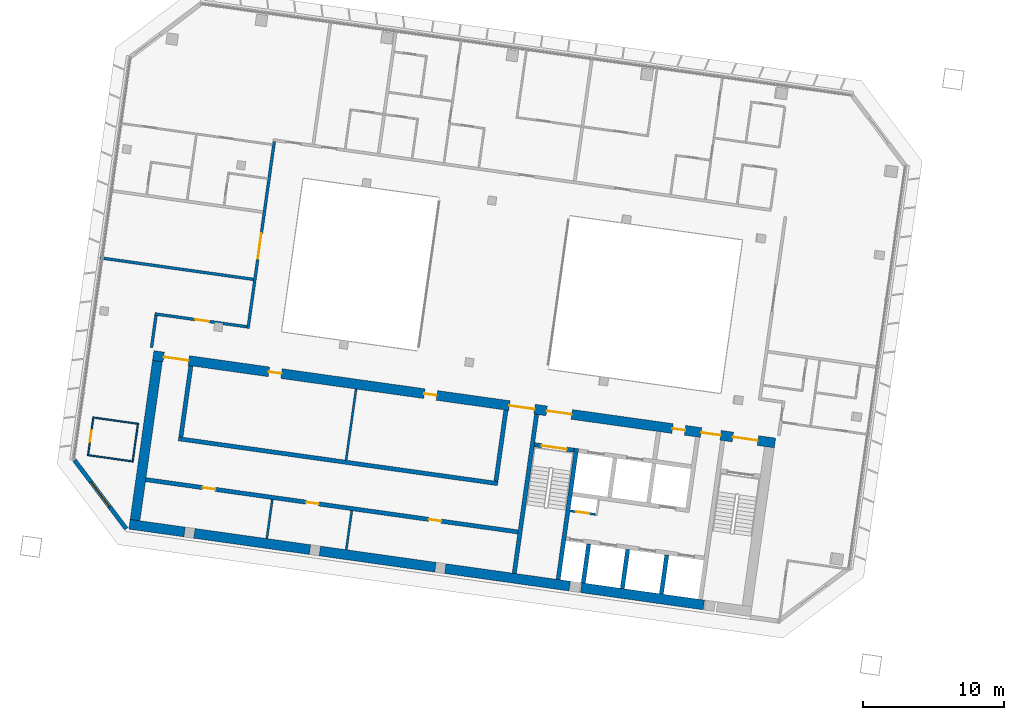
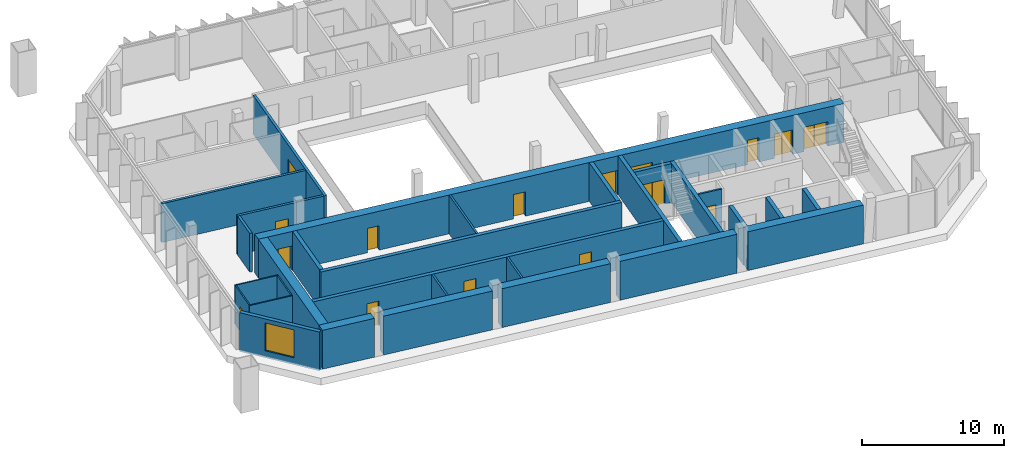
# One storey, part 13 of 22: 30 walls, 16 doors, 1 window, 17 openings.
"""IFC4 building model written with IfcOpenShell, lengths in metres."""

from ifc_helpers import new_model, si_unit, direction, frame, frame_2d, origin, place, context, subcontext, project, spatial, rectangle, extrude, material, layer, layer_set, type_object, element, fill, save


model = new_model("IFC4")

# Units and contexts
model_context = context("Model", 3, precision=1e-05, world=origin(), true_north=direction((0.0, 1.0)))
body_context = subcontext(model_context, "Body", "Model", "MODEL_VIEW")
ifc_project = project(units=[si_unit("LENGTHUNIT", "METRE"), si_unit("AREAUNIT", "SQUARE_METRE"), si_unit("VOLUMEUNIT", "CUBIC_METRE"), si_unit("PLANEANGLEUNIT", "RADIAN"), si_unit("MASSUNIT", "GRAM", prefix="KILO")], contexts=[model_context])

# Site, building, storey
site_placement = place(None, origin())
site = spatial("IfcSite", under=ifc_project, at=site_placement, CompositionType="ELEMENT")
building_placement = place(site_placement, origin())
building = spatial("IfcBuilding", under=site, at=building_placement, Name="Mirante Cascada Hotel Towers", CompositionType="ELEMENT")
storey_placement = place(building_placement, frame((0.0, 0.0, 191.6)))
storey = spatial("IfcBuildingStorey", under=building, at=storey_placement, Name="L45", CompositionType="ELEMENT", Elevation=191.6)

# Wall, opening, door
ifc_material_1 = material(Name="Fire-rated plasterboard on metal studs")
ifc_layer_1 = layer(ifc_material_1, 0.2)
ifc_layer_set_1 = layer_set([ifc_layer_1], Name="Compartment wall 200 EI 120")
wall_type_1 = type_object("IfcWallType", Name="Compartment wall 200 EI 120", PredefinedType="PARTITIONING", material=ifc_layer_set_1)
wall_1_placement = place(storey_placement, frame((-73.0547, 0.6175, 0.0), z_axis=(0.0, 0.0, 1.0), x_axis=(-0.990267, 0.139181, 0.0)))
wall_1 = element("IfcWall", 1, at=wall_1_placement, inside=storey, type_object=wall_type_1, Name="Wall 1-L45-06", PredefinedType="PARTITIONING", context=body_context, shape_type="SweptSolid", body=[
    extrude(rectangle(XDim=6.6, YDim=0.2, at=frame_2d((3.3, 0.0))), origin(), (0.0, 0.0, 1.0), 3.35),
])
opening_1_placement = place(wall_1_placement, frame((2.7, 0.0, 0.0)))
opening_1 = element("IfcOpeningElement", 2, at=opening_1_placement, cuts=wall_1, Name="Opening D1-L45-03", PredefinedType="OPENING", context=body_context, shape_type="SweptSolid", body=[
    extrude(rectangle(XDim=1.0, YDim=2.1, at=frame_2d((0.5, 1.05))), frame((0.0, 0.1, 0.0), z_axis=(0.0, -1.0, 0.0), x_axis=(1.0, 0.0, 0.0)), (0.0, 0.0, 1.0), 0.2),
])
ifc_material_2 = material(Name="Fire-rated timber door leaf", Category="wood")
door_type_1 = type_object("IfcDoorType", Name="Entrance door DG1 1000x2100 EI 60", OperationType="SINGLE_SWING_LEFT", PredefinedType="DOOR", material=ifc_material_2)
door_1_placement = place(opening_1_placement, origin())
door_1 = element("IfcDoor", 3, at=door_1_placement, inside=storey, type_object=door_type_1, Name="Door D1-L45-03", OperationType="SINGLE_SWING_LEFT", OverallHeight=2.1, OverallWidth=1.0, PredefinedType="DOOR", context=body_context, shape_type="SweptSolid", body=[
    extrude(rectangle(XDim=1.0, YDim=2.1, at=frame_2d((0.5, 1.05))), frame((0.0, 0.025, 0.0), z_axis=(0.0, -1.0, 0.0), x_axis=(1.0, 0.0, 0.0)), (0.0, 0.0, 1.0), 0.05),
])
fill(opening_1, door_1)

# Wall
wall_2_placement = place(storey_placement, frame((-72.5815, 3.9844, 0.0), z_axis=(0.0, 0.0, 1.0), x_axis=(-0.9902682, 0.1391721, 0.0)))
element("IfcWall", 4, at=wall_2_placement, inside=storey, type_object=wall_type_1, Name="Wall 1-L45-10", PredefinedType="PARTITIONING", context=body_context, shape_type="SweptSolid", body=[
    extrude(rectangle(XDim=11.0001, YDim=0.2, at=frame_2d((5.5, 0.0))), origin(), (0.0, 0.0, 1.0), 3.35),
])

# Wall, opening, door
wall_3_placement = place(storey_placement, frame((-71.1047, 13.7742, 0.0), z_axis=(0.0, 0.0, 1.0), x_axis=(-0.1391716, -0.9902683, 0.0)))
wall_3 = element("IfcWall", 5, at=wall_3_placement, inside=storey, type_object=wall_type_1, Name="Wall 1-L45-47", PredefinedType="PARTITIONING", context=body_context, shape_type="SweptSolid", body=[
    extrude(rectangle(XDim=13.4, YDim=0.2, at=frame_2d((6.7, 0.0))), origin(), (0.0, 0.0, 1.0), 3.35),
])
opening_2_placement = place(wall_3_placement, frame((6.5834, 0.0, 0.0)))
opening_2 = element("IfcOpeningElement", 6, at=opening_2_placement, cuts=wall_3, Name="Opening D1-L45-28", PredefinedType="OPENING", context=body_context, shape_type="SweptSolid", body=[
    extrude(rectangle(XDim=1.8, YDim=2.1, at=frame_2d((0.9, 1.05))), frame((0.0, 0.1, 0.0), z_axis=(0.0, -1.0, 0.0), x_axis=(1.0, 0.0, 0.0)), (0.0, 0.0, 1.0), 0.2),
])
ifc_material_3 = material(Name="Fire-rated timber door leaf", Category="wood")
door_type_2 = type_object("IfcDoorType", Name="Suite double door DG2 1800x2100 EI 60", OperationType="DOUBLE_DOOR_SINGLE_SWING", PredefinedType="DOOR", material=ifc_material_3)
door_2_placement = place(opening_2_placement, origin())
door_2 = element("IfcDoor", 7, at=door_2_placement, inside=storey, type_object=door_type_2, Name="Door D1-L45-28", OperationType="DOUBLE_DOOR_SINGLE_SWING", OverallHeight=2.1, OverallWidth=1.8, PredefinedType="DOOR", context=body_context, shape_type="SweptSolid", body=[
    extrude(rectangle(XDim=0.895, YDim=2.1, at=frame_2d((0.4475, 1.05))), frame((0.0, 0.025, 0.0), z_axis=(0.0, -1.0, 0.0), x_axis=(1.0, 0.0, 0.0)), (0.0, 0.0, 1.0), 0.05),
    extrude(rectangle(XDim=0.895, YDim=2.1, at=frame_2d((1.3525, 1.05))), frame((0.0, 0.025, 0.0), z_axis=(0.0, -1.0, 0.0), x_axis=(1.0, 0.0, 0.0)), (0.0, 0.0, 1.0), 0.05),
])
fill(opening_2, door_2)

# Wall
wall_4_placement = place(storey_placement, frame((-79.8255, -0.8545, 0.0), z_axis=(0.0, 0.0, 1.0), x_axis=(0.1391749, 0.9902678, 0.0)))
element("IfcWall", 8, at=wall_4_placement, inside=storey, type_object=wall_type_1, Name="Wall 1-L45-50", PredefinedType="PARTITIONING", context=body_context, shape_type="SweptSolid", body=[
    extrude(rectangle(XDim=2.3, YDim=0.2, at=frame_2d((1.15, 0.0))), origin(), (0.0, 0.0, 1.0), 3.35),
])

# Wall, opening, door
ifc_material_4 = material(Name="Masonry block", Category="masonry")
ifc_layer_2 = layer(ifc_material_4, 0.15)
ifc_layer_set_2 = layer_set([ifc_layer_2], Name="Core room partition 150 block EI 30")
wall_type_2 = type_object("IfcWallType", Name="Core room partition 150 block EI 30", PredefinedType="PARTITIONING", material=ifc_layer_set_2)
wall_5_placement = place(storey_placement, frame((-48.2933, -12.7083, 0.0), z_axis=(0.0, 0.0, 1.0), x_axis=(-0.990268, 0.1391734, 0.0)))
wall_5 = element("IfcWall", 9, at=wall_5_placement, inside=storey, type_object=wall_type_2, Name="Core wall partition T1 L45 3", PredefinedType="PARTITIONING", context=body_context, shape_type="SweptSolid", body=[
    extrude(rectangle(XDim=1.8251, YDim=0.15, at=frame_2d((0.9126, 0.0))), origin(), (0.0, 0.0, 1.0), 3.35),
])
opening_3_placement = place(wall_5_placement, frame((0.4625, 0.0, 0.0)))
opening_3 = element("IfcOpeningElement", 10, at=opening_3_placement, cuts=wall_5, Name="Opening D1-45-C15", PredefinedType="OPENING", context=body_context, shape_type="SweptSolid", body=[
    extrude(rectangle(XDim=0.9, YDim=2.1, at=frame_2d((0.45, 1.05))), frame((0.0, 0.075, 0.0), z_axis=(0.0, -1.0, 0.0), x_axis=(1.0, 0.0, 0.0)), (0.0, 0.0, 1.0), 0.15),
])
ifc_material_5 = material(Name="Hollow metal fire door leaf")
door_type_3 = type_object("IfcDoorType", Name="Fire door 900x2100 FD60", OperationType="NOTDEFINED", PredefinedType="DOOR", material=ifc_material_5)
door_3_placement = place(opening_3_placement, origin())
door_3 = element("IfcDoor", 11, at=door_3_placement, inside=storey, type_object=door_type_3, Name="Riser door T1 L45 15", OperationType="SINGLE_SWING_LEFT", OverallHeight=2.1, OverallWidth=0.9, PredefinedType="DOOR", context=body_context, shape_type="SweptSolid", body=[
    extrude(rectangle(XDim=0.9, YDim=2.1, at=frame_2d((0.45, 1.05))), frame((0.0, 0.025, 0.0), z_axis=(0.0, -1.0, 0.0), x_axis=(1.0, 0.0, 0.0)), (0.0, 0.0, 1.0), 0.05),
])
fill(opening_3, door_3)

# Walls
for number, where, z_axis, x_axis, name in (
    (12, (-65.9901, -15.2198, 0.0), (0.0, 0.0, 1.0), (0.139181, 0.990267, 0.0), "Core wall partition T1 L45 5"),
    (13, (-71.6346, -14.4265, 0.0), (0.0, 0.0, 1.0), (0.139181, 0.990267, 0.0), "Core wall partition T1 L45 6"),
):
    element("IfcWall", number, at=place(storey_placement, frame(where, z_axis=z_axis, x_axis=x_axis)), inside=storey, type_object=wall_type_2, Name=name, PredefinedType="PARTITIONING", context=body_context, shape_type="SweptSolid", body=[
        extrude(rectangle(XDim=2.8, YDim=0.15, at=frame_2d((1.4, 0.0))), origin(), (0.0, 0.0, 1.0), 3.35),
    ])
wall_6_placement = place(storey_placement, frame((-66.0045, -8.8559, 0.0), z_axis=(0.0, 0.0, 1.0), x_axis=(0.1391563, 0.9902704, 0.0)))
element("IfcWall", 14, at=wall_6_placement, inside=storey, type_object=wall_type_2, Name="Core wall partition T1 L45 7", PredefinedType="PARTITIONING", context=body_context, shape_type="SweptSolid", body=[
    extrude(rectangle(XDim=5.1, YDim=0.15, at=frame_2d((2.55, 0.0))), origin(), (0.0, 0.0, 1.0), 3.35),
])

# Wall, openings, doors
ifc_material_6 = material(Name="Masonry block", Category="masonry")
ifc_layer_3 = layer(ifc_material_6, 0.3)
ifc_layer_set_3 = layer_set([ifc_layer_3], Name="Core wall 300 block EI 120")
wall_type_3 = type_object("IfcWallType", Name="Core wall 300 block EI 120", PredefinedType="PARTITIONING", material=ifc_layer_set_3)
wall_7_placement = place(storey_placement, frame((-53.7953, -13.9547, 0.0), z_axis=(0.0, 0.0, 1.0), x_axis=(-0.9902677, 0.1391758, 0.0)))
wall_7 = element("IfcWall", 15, at=wall_7_placement, inside=storey, type_object=wall_type_3, Name="Core wall partition T1 L45 4", PredefinedType="PARTITIONING", context=body_context, shape_type="SweptSolid", body=[
    extrude(rectangle(XDim=26.7001, YDim=0.3, at=frame_2d((13.35, 0.0))), origin(), (0.0, 0.0, 1.0), 3.35),
])
opening_4_placement = place(wall_7_placement, frame((5.5, 0.0, 0.0)))
opening_4 = element("IfcOpeningElement", 16, at=opening_4_placement, cuts=wall_7, Name="Opening D1-45-C17", PredefinedType="OPENING", context=body_context, shape_type="SweptSolid", body=[
    extrude(rectangle(XDim=0.9, YDim=2.1, at=frame_2d((0.45, 1.05))), frame((0.0, 0.15, 0.0), z_axis=(0.0, -1.0, 0.0), x_axis=(1.0, 0.0, 0.0)), (0.0, 0.0, 1.0), 0.3),
])
opening_5_placement = place(wall_7_placement, frame((14.3, 0.0, 0.0)))
opening_5 = element("IfcOpeningElement", 17, at=opening_5_placement, cuts=wall_7, Name="Opening D1-45-C18", PredefinedType="OPENING", context=body_context, shape_type="SweptSolid", body=[
    extrude(rectangle(XDim=0.9, YDim=2.1, at=frame_2d((0.45, 1.05))), frame((0.0, 0.15, 0.0), z_axis=(0.0, -1.0, 0.0), x_axis=(1.0, 0.0, 0.0)), (0.0, 0.0, 1.0), 0.3),
])
opening_6_placement = place(wall_7_placement, frame((21.7, 0.0, 0.0)))
opening_6 = element("IfcOpeningElement", 18, at=opening_6_placement, cuts=wall_7, Name="Opening D1-45-C19", PredefinedType="OPENING", context=body_context, shape_type="SweptSolid", body=[
    extrude(rectangle(XDim=0.9, YDim=2.1, at=frame_2d((0.45, 1.05))), frame((0.0, 0.15, 0.0), z_axis=(0.0, -1.0, 0.0), x_axis=(1.0, 0.0, 0.0)), (0.0, 0.0, 1.0), 0.3),
])
door_4_placement = place(opening_4_placement, origin())
door_4 = element("IfcDoor", 19, at=door_4_placement, inside=storey, type_object=door_type_3, Name="Room door T1 L45 17", OperationType="SINGLE_SWING_RIGHT", OverallHeight=2.1, OverallWidth=0.9, PredefinedType="DOOR", context=body_context, shape_type="SweptSolid", body=[
    extrude(rectangle(XDim=0.9, YDim=2.1, at=frame_2d((0.45, 1.05))), frame((0.0, 0.025, 0.0), z_axis=(0.0, -1.0, 0.0), x_axis=(1.0, 0.0, 0.0)), (0.0, 0.0, 1.0), 0.05),
])
fill(opening_4, door_4)
door_5_placement = place(opening_5_placement, origin())
door_5 = element("IfcDoor", 20, at=door_5_placement, inside=storey, type_object=door_type_3, Name="Room door T1 L45 18", OperationType="SINGLE_SWING_LEFT", OverallHeight=2.1, OverallWidth=0.9, PredefinedType="DOOR", context=body_context, shape_type="SweptSolid", body=[
    extrude(rectangle(XDim=0.9, YDim=2.1, at=frame_2d((0.45, 1.05))), frame((0.0, 0.025, 0.0), z_axis=(0.0, -1.0, 0.0), x_axis=(1.0, 0.0, 0.0)), (0.0, 0.0, 1.0), 0.05),
])
fill(opening_5, door_5)
door_6_placement = place(opening_6_placement, origin())
door_6 = element("IfcDoor", 21, at=door_6_placement, inside=storey, type_object=door_type_3, Name="Room door T1 L45 19", OperationType="SINGLE_SWING_LEFT", OverallHeight=2.1, OverallWidth=0.9, PredefinedType="DOOR", context=body_context, shape_type="SweptSolid", body=[
    extrude(rectangle(XDim=0.9, YDim=2.1, at=frame_2d((0.45, 1.05))), frame((0.0, 0.025, 0.0), z_axis=(0.0, -1.0, 0.0), x_axis=(1.0, 0.0, 0.0)), (0.0, 0.0, 1.0), 0.05),
])
fill(opening_6, door_6)

# Walls
ifc_material_7 = material(Name="Plasterboard on metal studs")
ifc_layer_4 = layer(ifc_material_7, 0.1)
ifc_layer_set_4 = layer_set([ifc_layer_4], Name="Partition 100")
wall_type_4 = type_object("IfcWallType", Name="Partition 100", PredefinedType="PARTITIONING", material=ifc_layer_set_4)
for number, where, z_axis, x_axis, name in (
    (22, (-81.1152, -8.9538, 0.0), (0.0, 0.0, 1.0), (-0.990267, 0.139181, 0.0), "Wall 1-L45-02"),
    (23, (-84.0074, -5.8208, 0.0), (0.0, 0.0, 1.0), (0.990267, -0.139181, 0.0), "Wall 1-L45-03"),
):
    element("IfcWall", number, at=place(storey_placement, frame(where, z_axis=z_axis, x_axis=x_axis)), inside=storey, type_object=wall_type_4, Name=name, PredefinedType="PARTITIONING", context=body_context, shape_type="SweptSolid", body=[
        extrude(rectangle(XDim=3.3, YDim=0.1, at=frame_2d((1.65, 0.0))), origin(), (0.0, 0.0, 1.0), 3.35),
    ])
wall_8_placement = place(storey_placement, frame((-80.7959, -6.3226, 0.0), z_axis=(0.0, 0.0, 1.0), x_axis=(-0.1391918, -0.9902654, 0.0)))
element("IfcWall", 24, at=wall_8_placement, inside=storey, type_object=wall_type_4, Name="Wall 1-L45-51", PredefinedType="PARTITIONING", context=body_context, shape_type="SweptSolid", body=[
    extrude(rectangle(XDim=2.6, YDim=0.1, at=frame_2d((1.3, 0.0))), origin(), (0.0, 0.0, 1.0), 3.35),
])

# Wall, opening, door
wall_9_placement = place(storey_placement, frame((-83.9648, -5.8773, 0.0), z_axis=(0.0, 0.0, 1.0), x_axis=(-0.1391541, -0.9902707, 0.0)))
wall_9 = element("IfcWall", 25, at=wall_9_placement, inside=storey, type_object=wall_type_4, Name="Wall 1-L45-53", PredefinedType="PARTITIONING", context=body_context, shape_type="SweptSolid", body=[
    extrude(rectangle(XDim=2.6, YDim=0.1, at=frame_2d((1.3, 0.0))), origin(), (0.0, 0.0, 1.0), 3.35),
])
opening_7_placement = place(wall_9_placement, frame((0.9, 0.0, 0.0)))
opening_7 = element("IfcOpeningElement", 26, at=opening_7_placement, cuts=wall_9, Name="Opening D1-L45-31", PredefinedType="OPENING", context=body_context, shape_type="SweptSolid", body=[
    extrude(rectangle(XDim=0.8, YDim=2.1, at=frame_2d((0.4, 1.05))), frame((0.0, 0.05, 0.0), z_axis=(0.0, -1.0, 0.0), x_axis=(1.0, 0.0, 0.0)), (0.0, 0.0, 1.0), 0.1),
])
ifc_material_8 = material(Name="Timber door leaf", Category="wood")
door_type_4 = type_object("IfcDoorType", Name="Bathroom door DG4 800x2100", OperationType="SINGLE_SWING_LEFT", PredefinedType="DOOR", material=ifc_material_8)
door_7_placement = place(opening_7_placement, origin())
door_7 = element("IfcDoor", 27, at=door_7_placement, inside=storey, type_object=door_type_4, Name="Door D1-L45-31", OperationType="SINGLE_SWING_LEFT", OverallHeight=2.1, OverallWidth=0.8, PredefinedType="DOOR", context=body_context, shape_type="SweptSolid", body=[
    extrude(rectangle(XDim=0.8, YDim=2.1, at=frame_2d((0.4, 1.05))), frame((0.0, 0.025, 0.0), z_axis=(0.0, -1.0, 0.0), x_axis=(1.0, 0.0, 0.0)), (0.0, 0.0, 1.0), 0.05),
])
fill(opening_7, door_7)

# Wall, opening, window
ifc_material_9 = material(Name="Precast concrete C40/50", Category="concrete")
ifc_layer_5 = layer(ifc_material_9, 0.3)
ifc_layer_set_5 = layer_set([ifc_layer_5], Name="Precast concrete C40/50 cladding wall 300")
wall_type_5 = type_object("IfcWallType", Name="Precast concrete C40/50 cladding wall 300", PredefinedType="STANDARD", material=ifc_layer_set_5)
wall_10_placement = place(storey_placement, frame((-81.6175, -13.7366, 0.0), z_axis=(0.0, 0.0, 1.0), x_axis=(-0.6018141, 0.7986362, 0.0)))
wall_10 = element("IfcWall", 28, at=wall_10_placement, inside=storey, type_object=wall_type_5, Name="Corner cladding wall T1 L45 rear outer", PredefinedType="STANDARD", context=body_context, shape_type="SweptSolid", body=[
    extrude(rectangle(XDim=6.1157, YDim=0.3, at=frame_2d((3.0578, 0.0))), origin(), (0.0, 0.0, 1.0), 3.35),
])
opening_8_placement = place(wall_10_placement, frame((1.9578, 0.0, 0.6)))
opening_8 = element("IfcOpeningElement", 29, at=opening_8_placement, cuts=wall_10, Name="Opening W1-45-01", PredefinedType="OPENING", context=body_context, shape_type="SweptSolid", body=[
    extrude(rectangle(XDim=2.2, YDim=2.4, at=frame_2d((1.1, 1.2))), frame((0.0, 0.15, 0.0), z_axis=(0.0, -1.0, 0.0), x_axis=(1.0, 0.0, 0.0)), (0.0, 0.0, 1.0), 0.3),
])
ifc_material_10 = material(Name="Aluminium frame with clear double glazing", Category="aluminium")
window_type = type_object("IfcWindowType", Name="Corner suite window 2200x2400", PartitioningType="DOUBLE_PANEL_VERTICAL", PredefinedType="WINDOW", material=ifc_material_10)
window_placement = place(opening_8_placement, origin())
window = element("IfcWindow", 30, at=window_placement, inside=storey, type_object=window_type, Name="Window W1-45-01", OverallHeight=2.4, OverallWidth=2.2, PartitioningType="SINGLE_PANEL", PredefinedType="WINDOW", context=body_context, shape_type="SweptSolid", body=[
    extrude(rectangle(XDim=2.2, YDim=2.4, at=frame_2d((1.1, 1.2))), frame((0.0, 0.03, 0.0), z_axis=(0.0, -1.0, 0.0), x_axis=(1.0, 0.0, 0.0)), (0.0, 0.0, 1.0), 0.06),
])
fill(opening_8, window)

# Walls
ifc_material_11 = material(Name="Concrete C50/60", Category="concrete")
ifc_layer_6 = layer(ifc_material_11, 0.3)
ifc_layer_set_6 = layer_set([ifc_layer_6], Name="RC core wall 300 C50/60")
wall_type_6 = type_object("IfcWallType", Name="RC core wall 300 C50/60", PredefinedType="SHEAR", material=ifc_layer_set_6)
wall_11_placement = place(storey_placement, frame((-50.938, -17.3352, 0.0), z_axis=(0.0, 0.0, 1.0), x_axis=(0.1391706, 0.9902684, 0.0)))
element("IfcWall", 31, at=wall_11_placement, inside=storey, type_object=wall_type_6, Name="Core wall T1:L45:6", PredefinedType="SHEAR", context=body_context, shape_type="SweptSolid", body=[
    extrude(rectangle(XDim=9.4, YDim=0.3, at=frame_2d((4.7, 0.0))), origin(), (0.0, 0.0, 1.0), 3.35),
])
wall_12_placement = place(storey_placement, frame((-54.0574, -16.8968, 0.0), z_axis=(0.0, 0.0, 1.0), x_axis=(0.1391761, 0.9902677, 0.0)))
element("IfcWall", 32, at=wall_12_placement, inside=storey, type_object=wall_type_6, Name="Core wall T1:L45:7", PredefinedType="SHEAR", context=body_context, shape_type="SweptSolid", body=[
    extrude(rectangle(XDim=11.3999, YDim=0.3, at=frame_2d((5.7, 0.0))), origin(), (0.0, 0.0, 1.0), 3.35),
])

# Wall, opening, door
wall_13_placement = place(storey_placement, frame((-49.7992, -8.1544, 0.0), z_axis=(0.0, 0.0, 1.0), x_axis=(-0.9902656, 0.1391909, 0.0)))
wall_13 = element("IfcWall", 33, at=wall_13_placement, inside=storey, type_object=wall_type_6, Name="Core wall T1:L45:9", PredefinedType="SHEAR", context=body_context, shape_type="SweptSolid", body=[
    extrude(rectangle(XDim=2.85, YDim=0.3, at=frame_2d((1.425, 0.0))), origin(), (0.0, 0.0, 1.0), 3.35),
])
opening_9_placement = place(wall_13_placement, frame((0.525, 0.0, 0.0)))
opening_9 = element("IfcOpeningElement", 34, at=opening_9_placement, cuts=wall_13, Name="Opening D1-45-C09", PredefinedType="OPENING", context=body_context, shape_type="SweptSolid", body=[
    extrude(rectangle(XDim=1.8, YDim=2.1, at=frame_2d((0.9, 1.05))), frame((0.0, 0.15, 0.0), z_axis=(0.0, -1.0, 0.0), x_axis=(1.0, 0.0, 0.0)), (0.0, 0.0, 1.0), 0.3),
])
ifc_material_12 = material(Name="Hollow metal fire door leaf")
door_type_5 = type_object("IfcDoorType", Name="Double fire door 1800x2100 FD60", OperationType="DOUBLE_DOOR_SINGLE_SWING", PredefinedType="DOOR", material=ifc_material_12)
door_8_placement = place(opening_9_placement, origin())
door_8 = element("IfcDoor", 35, at=door_8_placement, inside=storey, type_object=door_type_5, Name="Stair door T1 L45 9", OperationType="DOUBLE_DOOR_SINGLE_SWING", OverallHeight=2.1, OverallWidth=1.8, PredefinedType="DOOR", context=body_context, shape_type="SweptSolid", body=[
    extrude(rectangle(XDim=0.895, YDim=2.1, at=frame_2d((0.4475, 1.05))), frame((0.0, 0.025, 0.0), z_axis=(0.0, -1.0, 0.0), x_axis=(1.0, 0.0, 0.0)), (0.0, 0.0, 1.0), 0.05),
    extrude(rectangle(XDim=0.895, YDim=2.1, at=frame_2d((1.3525, 1.05))), frame((0.0, 0.025, 0.0), z_axis=(0.0, -1.0, 0.0), x_axis=(1.0, 0.0, 0.0)), (0.0, 0.0, 1.0), 0.05),
])
fill(opening_9, door_8)

# Walls
wall_14_placement = place(storey_placement, frame((-43.61, -18.3651, 0.0), z_axis=(0.0, 0.0, 1.0), x_axis=(0.1391459, 0.9902719, 0.0)))
element("IfcWall", 36, at=wall_14_placement, inside=storey, type_object=wall_type_6, Name="Core wall T1:L45:13", PredefinedType="SHEAR", context=body_context, shape_type="SweptSolid", body=[
    extrude(rectangle(XDim=2.7999, YDim=0.3, at=frame_2d((1.4, 0.0))), origin(), (0.0, 0.0, 1.0), 3.35),
])
wall_15_placement = place(storey_placement, frame((-46.3828, -17.9754, 0.0), z_axis=(0.0, 0.0, 1.0), x_axis=(0.139181, 0.990267, 0.0)))
element("IfcWall", 37, at=wall_15_placement, inside=storey, type_object=wall_type_6, Name="Core wall T1:L45:14", PredefinedType="SHEAR", context=body_context, shape_type="SweptSolid", body=[
    extrude(rectangle(XDim=2.8, YDim=0.3, at=frame_2d((1.4, 0.0))), origin(), (0.0, 0.0, 1.0), 3.35),
])
wall_16_placement = place(storey_placement, frame((-49.1555, -17.5857, 0.0), z_axis=(0.0, 0.0, 1.0), x_axis=(0.1391459, 0.9902719, 0.0)))
element("IfcWall", 38, at=wall_16_placement, inside=storey, type_object=wall_type_6, Name="Core wall T1:L45:15", PredefinedType="SHEAR", context=body_context, shape_type="SweptSolid", body=[
    extrude(rectangle(XDim=2.7999, YDim=0.3, at=frame_2d((1.4, 0.0))), origin(), (0.0, 0.0, 1.0), 3.35),
])
wall_17_placement = place(storey_placement, frame((-55.2315, -10.5214, 0.0), z_axis=(0.0, 0.0, 1.0), x_axis=(-0.9902678, 0.1391749, 0.0)))
element("IfcWall", 39, at=wall_17_placement, inside=storey, type_object=wall_type_6, Name="Core wall T1:L45:25", PredefinedType="SHEAR", context=body_context, shape_type="SweptSolid", body=[
    extrude(rectangle(XDim=22.9, YDim=0.3, at=frame_2d((11.45, 0.0))), origin(), (0.0, 0.0, 1.0), 3.35),
])
for number, where, z_axis, x_axis, name in (
    (40, (-55.3592, -10.352, 0.0), (0.0, 0.0, 1.0), (0.1391755, 0.9902677, 0.0), "Core wall T1:L45:26"),
    (41, (-77.7392, -7.2067, 0.0), (0.0, 0.0, 1.0), (0.1391755, 0.9902677, 0.0), "Core wall T1:L45:27"),
):
    element("IfcWall", number, at=place(storey_placement, frame(where, z_axis=z_axis, x_axis=x_axis)), inside=storey, type_object=wall_type_6, Name=name, PredefinedType="SHEAR", context=body_context, shape_type="SweptSolid", body=[
        extrude(rectangle(XDim=5.1, YDim=0.3, at=frame_2d((2.55, 0.0))), origin(), (0.0, 0.0, 1.0), 3.35),
    ])
ifc_material_13 = material(Name="Concrete C50/60", Category="concrete")
ifc_layer_7 = layer(ifc_material_13, 0.7)
ifc_layer_set_7 = layer_set([ifc_layer_7], Name="RC core wall 700 C50/60")
wall_type_7 = type_object("IfcWallType", Name="RC core wall 700 C50/60", PredefinedType="SHEAR", material=ifc_layer_set_7)
wall_18_placement = place(storey_placement, frame((-40.5928, -19.1426, 0.0), z_axis=(0.0, 0.0, 1.0), x_axis=(-0.9902677, 0.1391756, 0.0)))
element("IfcWall", 42, at=wall_18_placement, inside=storey, type_object=wall_type_7, Name="Core wall T1:L45:1.2", PredefinedType="SHEAR", context=body_context, shape_type="SweptSolid", body=[
    extrude(rectangle(XDim=8.7975, YDim=0.7, at=frame_2d((4.3988, 0.0))), origin(), (0.0, 0.0, 1.0), 3.35),
])
wall_19_placement = place(storey_placement, frame((-50.1222, -17.8033, 0.0), z_axis=(0.0, 0.0, 1.0), x_axis=(-0.9902688, 0.1391679, 0.0)))
element("IfcWall", 43, at=wall_19_placement, inside=storey, type_object=wall_type_7, Name="Core wall T1:L45:1.3", PredefinedType="SHEAR", context=body_context, shape_type="SweptSolid", body=[
    extrude(rectangle(XDim=8.923, YDim=0.7, at=frame_2d((4.4615, 0.0))), origin(), (0.0, 0.0, 1.0), 3.35),
])
for number, where, z_axis, x_axis, name in (
    (44, (-59.6516, -16.4641, 0.0), (0.0, 0.0, 1.0), (-0.990267, 0.139181, 0.0), "Core wall T1:L45:1.4"),
    (45, (-68.564, -15.2115, 0.0), (0.0, 0.0, 1.0), (-0.9902686, 0.1391692, 0.0), "Core wall T1:L45:1.5"),
):
    element("IfcWall", number, at=place(storey_placement, frame(where, z_axis=z_axis, x_axis=x_axis)), inside=storey, type_object=wall_type_7, Name=name, PredefinedType="SHEAR", context=body_context, shape_type="SweptSolid", body=[
        extrude(rectangle(XDim=8.3, YDim=0.7, at=frame_2d((4.15, 0.0))), origin(), (0.0, 0.0, 1.0), 3.35),
    ])
wall_20_placement = place(storey_placement, frame((-77.4764, -13.9589, 0.0), z_axis=(0.0, 0.0, 1.0), x_axis=(-0.9902694, 0.1391633, 0.0)))
element("IfcWall", 46, at=wall_20_placement, inside=storey, type_object=wall_type_7, Name="Core wall T1:L45:1.6", PredefinedType="SHEAR", context=body_context, shape_type="SweptSolid", body=[
    extrude(rectangle(XDim=3.95, YDim=0.7, at=frame_2d((1.975, 0.0))), origin(), (0.0, 0.0, 1.0), 3.35),
])

# Wall, openings, doors
wall_21_placement = place(storey_placement, frame((-35.538, -7.6341, 0.0), z_axis=(0.0, 0.0, 1.0), x_axis=(-0.9902682, 0.1391725, 0.0)))
wall_21 = element("IfcWall", 47, at=wall_21_placement, inside=storey, type_object=wall_type_7, Name="Core wall T1:L45:2", PredefinedType="SHEAR", context=body_context, shape_type="SweptSolid", body=[
    extrude(rectangle(XDim=44.6, YDim=0.7, at=frame_2d((22.3, 0.0))), origin(), (0.0, 0.0, 1.0), 3.35),
])
opening_10_placement = place(wall_21_placement, frame((1.225, 0.0, 0.0)))
opening_10 = element("IfcOpeningElement", 48, at=opening_10_placement, cuts=wall_21, Name="Opening D1-45-C08", PredefinedType="OPENING", context=body_context, shape_type="SweptSolid", body=[
    extrude(rectangle(XDim=1.8, YDim=2.1, at=frame_2d((0.9, 1.05))), frame((0.0, 0.35, 0.0), z_axis=(0.0, -1.0, 0.0), x_axis=(1.0, 0.0, 0.0)), (0.0, 0.0, 1.0), 0.7),
])
opening_11_placement = place(wall_21_placement, frame((14.575, 0.0, 0.0)))
opening_11 = element("IfcOpeningElement", 49, at=opening_11_placement, cuts=wall_21, Name="Opening D1-45-C10", PredefinedType="OPENING", context=body_context, shape_type="SweptSolid", body=[
    extrude(rectangle(XDim=1.8, YDim=2.1, at=frame_2d((0.9, 1.05))), frame((0.0, 0.35, 0.0), z_axis=(0.0, -1.0, 0.0), x_axis=(1.0, 0.0, 0.0)), (0.0, 0.0, 1.0), 0.7),
])
opening_12_placement = place(wall_21_placement, frame((3.9, 0.0, 0.0)))
opening_12 = element("IfcOpeningElement", 50, at=opening_12_placement, cuts=wall_21, Name="Opening D1-45-C11", PredefinedType="OPENING", context=body_context, shape_type="SweptSolid", body=[
    extrude(rectangle(XDim=1.4, YDim=2.1, at=frame_2d((0.7, 1.05))), frame((0.0, 0.35, 0.0), z_axis=(0.0, -1.0, 0.0), x_axis=(1.0, 0.0, 0.0)), (0.0, 0.0, 1.0), 0.7),
])
opening_13_placement = place(wall_21_placement, frame((17.25, 0.0, 0.0)))
opening_13 = element("IfcOpeningElement", 51, at=opening_13_placement, cuts=wall_21, Name="Opening D1-45-C12", PredefinedType="OPENING", context=body_context, shape_type="SweptSolid", body=[
    extrude(rectangle(XDim=1.8, YDim=2.1, at=frame_2d((0.9, 1.05))), frame((0.0, 0.35, 0.0), z_axis=(0.0, -1.0, 0.0), x_axis=(1.0, 0.0, 0.0)), (0.0, 0.0, 1.0), 0.7),
])
opening_14_placement = place(wall_21_placement, frame((42.05, 0.0, 0.0)))
opening_14 = element("IfcOpeningElement", 52, at=opening_14_placement, cuts=wall_21, Name="Opening D1-45-C13", PredefinedType="OPENING", context=body_context, shape_type="SweptSolid", body=[
    extrude(rectangle(XDim=1.8, YDim=2.1, at=frame_2d((0.9, 1.05))), frame((0.0, 0.35, 0.0), z_axis=(0.0, -1.0, 0.0), x_axis=(1.0, 0.0, 0.0)), (0.0, 0.0, 1.0), 0.7),
])
opening_15_placement = place(wall_21_placement, frame((6.45, 0.0, 0.0)))
opening_15 = element("IfcOpeningElement", 53, at=opening_15_placement, cuts=wall_21, Name="Opening D1-45-C16", PredefinedType="OPENING", context=body_context, shape_type="SweptSolid", body=[
    extrude(rectangle(XDim=0.9, YDim=2.1, at=frame_2d((0.45, 1.05))), frame((0.0, 0.35, 0.0), z_axis=(0.0, -1.0, 0.0), x_axis=(1.0, 0.0, 0.0)), (0.0, 0.0, 1.0), 0.7),
])
opening_16_placement = place(wall_21_placement, frame((24.25, 0.0, 0.0)))
opening_16 = element("IfcOpeningElement", 54, at=opening_16_placement, cuts=wall_21, Name="Opening D1-45-C20", PredefinedType="OPENING", context=body_context, shape_type="SweptSolid", body=[
    extrude(rectangle(XDim=0.9, YDim=2.1, at=frame_2d((0.45, 1.05))), frame((0.0, 0.35, 0.0), z_axis=(0.0, -1.0, 0.0), x_axis=(1.0, 0.0, 0.0)), (0.0, 0.0, 1.0), 0.7),
])
opening_17_placement = place(wall_21_placement, frame((35.4, 0.0, 0.0)))
opening_17 = element("IfcOpeningElement", 55, at=opening_17_placement, cuts=wall_21, Name="Opening D1-45-C21", PredefinedType="OPENING", context=body_context, shape_type="SweptSolid", body=[
    extrude(rectangle(XDim=0.9, YDim=2.1, at=frame_2d((0.45, 1.05))), frame((0.0, 0.35, 0.0), z_axis=(0.0, -1.0, 0.0), x_axis=(1.0, 0.0, 0.0)), (0.0, 0.0, 1.0), 0.7),
])
ifc_material_14 = material(Name="Hollow metal fire door leaf")
door_type_6 = type_object("IfcDoorType", Name="Double fire door 1400x2100 FD60", OperationType="DOUBLE_DOOR_SINGLE_SWING", PredefinedType="DOOR", material=ifc_material_14)
door_9_placement = place(opening_12_placement, frame((1.4, 0.0, 0.0), z_axis=(0.0, 0.0, 1.0), x_axis=(-1.0, 0.0, 0.0)))
door_9 = element("IfcDoor", 56, at=door_9_placement, inside=storey, type_object=door_type_6, Name="Exit door to gallery T1 L45 11", OperationType="DOUBLE_DOOR_SINGLE_SWING", OverallHeight=2.1, OverallWidth=1.4, PredefinedType="DOOR", context=body_context, shape_type="SweptSolid", body=[
    extrude(rectangle(XDim=0.695, YDim=2.1, at=frame_2d((0.3475, 1.05))), frame((0.0, 0.025, 0.0), z_axis=(0.0, -1.0, 0.0), x_axis=(1.0, 0.0, 0.0)), (0.0, 0.0, 1.0), 0.05),
    extrude(rectangle(XDim=0.695, YDim=2.1, at=frame_2d((1.0525, 1.05))), frame((0.0, 0.025, 0.0), z_axis=(0.0, -1.0, 0.0), x_axis=(1.0, 0.0, 0.0)), (0.0, 0.0, 1.0), 0.05),
])
fill(opening_12, door_9)
door_10_placement = place(opening_10_placement, origin())
door_10 = element("IfcDoor", 57, at=door_10_placement, inside=storey, type_object=door_type_5, Name="Exit door to gallery T1 L45 8", OperationType="DOUBLE_DOOR_SINGLE_SWING", OverallHeight=2.1, OverallWidth=1.8, PredefinedType="DOOR", context=body_context, shape_type="SweptSolid", body=[
    extrude(rectangle(XDim=0.895, YDim=2.1, at=frame_2d((0.4475, 1.05))), frame((0.0, 0.025, 0.0), z_axis=(0.0, -1.0, 0.0), x_axis=(1.0, 0.0, 0.0)), (0.0, 0.0, 1.0), 0.05),
    extrude(rectangle(XDim=0.895, YDim=2.1, at=frame_2d((1.3525, 1.05))), frame((0.0, 0.025, 0.0), z_axis=(0.0, -1.0, 0.0), x_axis=(1.0, 0.0, 0.0)), (0.0, 0.0, 1.0), 0.05),
])
fill(opening_10, door_10)
door_11_placement = place(opening_11_placement, origin())
door_11 = element("IfcDoor", 58, at=door_11_placement, inside=storey, type_object=door_type_5, Name="Exit door to gallery T1 L45 10", OperationType="DOUBLE_DOOR_SINGLE_SWING", OverallHeight=2.1, OverallWidth=1.8, PredefinedType="DOOR", context=body_context, shape_type="SweptSolid", body=[
    extrude(rectangle(XDim=0.895, YDim=2.1, at=frame_2d((0.4475, 1.05))), frame((0.0, 0.025, 0.0), z_axis=(0.0, -1.0, 0.0), x_axis=(1.0, 0.0, 0.0)), (0.0, 0.0, 1.0), 0.05),
    extrude(rectangle(XDim=0.895, YDim=2.1, at=frame_2d((1.3525, 1.05))), frame((0.0, 0.025, 0.0), z_axis=(0.0, -1.0, 0.0), x_axis=(1.0, 0.0, 0.0)), (0.0, 0.0, 1.0), 0.05),
])
fill(opening_11, door_11)
door_12_placement = place(opening_13_placement, frame((1.8, 0.0, 0.0), z_axis=(0.0, 0.0, 1.0), x_axis=(-1.0, 0.0, 0.0)))
door_12 = element("IfcDoor", 59, at=door_12_placement, inside=storey, type_object=door_type_5, Name="Exit door to gallery T1 L45 12", OperationType="DOUBLE_DOOR_SINGLE_SWING", OverallHeight=2.1, OverallWidth=1.8, PredefinedType="DOOR", context=body_context, shape_type="SweptSolid", body=[
    extrude(rectangle(XDim=0.895, YDim=2.1, at=frame_2d((0.4475, 1.05))), frame((0.0, 0.025, 0.0), z_axis=(0.0, -1.0, 0.0), x_axis=(1.0, 0.0, 0.0)), (0.0, 0.0, 1.0), 0.05),
    extrude(rectangle(XDim=0.895, YDim=2.1, at=frame_2d((1.3525, 1.05))), frame((0.0, 0.025, 0.0), z_axis=(0.0, -1.0, 0.0), x_axis=(1.0, 0.0, 0.0)), (0.0, 0.0, 1.0), 0.05),
])
fill(opening_13, door_12)
door_13_placement = place(opening_14_placement, frame((1.8, 0.0, 0.0), z_axis=(0.0, 0.0, 1.0), x_axis=(-1.0, 0.0, 0.0)))
door_13 = element("IfcDoor", 60, at=door_13_placement, inside=storey, type_object=door_type_5, Name="Exit door to gallery T1 L45 13", OperationType="DOUBLE_DOOR_SINGLE_SWING", OverallHeight=2.1, OverallWidth=1.8, PredefinedType="DOOR", context=body_context, shape_type="SweptSolid", body=[
    extrude(rectangle(XDim=0.895, YDim=2.1, at=frame_2d((0.4475, 1.05))), frame((0.0, 0.025, 0.0), z_axis=(0.0, -1.0, 0.0), x_axis=(1.0, 0.0, 0.0)), (0.0, 0.0, 1.0), 0.05),
    extrude(rectangle(XDim=0.895, YDim=2.1, at=frame_2d((1.3525, 1.05))), frame((0.0, 0.025, 0.0), z_axis=(0.0, -1.0, 0.0), x_axis=(1.0, 0.0, 0.0)), (0.0, 0.0, 1.0), 0.05),
])
fill(opening_14, door_13)
door_14_placement = place(opening_15_placement, origin())
door_14 = element("IfcDoor", 61, at=door_14_placement, inside=storey, type_object=door_type_3, Name="Room door T1 L45 16", OperationType="SINGLE_SWING_RIGHT", OverallHeight=2.1, OverallWidth=0.9, PredefinedType="DOOR", context=body_context, shape_type="SweptSolid", body=[
    extrude(rectangle(XDim=0.9, YDim=2.1, at=frame_2d((0.45, 1.05))), frame((0.0, 0.025, 0.0), z_axis=(0.0, -1.0, 0.0), x_axis=(1.0, 0.0, 0.0)), (0.0, 0.0, 1.0), 0.05),
])
fill(opening_15, door_14)
door_15_placement = place(opening_16_placement, origin())
door_15 = element("IfcDoor", 62, at=door_15_placement, inside=storey, type_object=door_type_3, Name="Room door T1 L45 20", OperationType="SINGLE_SWING_LEFT", OverallHeight=2.1, OverallWidth=0.9, PredefinedType="DOOR", context=body_context, shape_type="SweptSolid", body=[
    extrude(rectangle(XDim=0.9, YDim=2.1, at=frame_2d((0.45, 1.05))), frame((0.0, 0.025, 0.0), z_axis=(0.0, -1.0, 0.0), x_axis=(1.0, 0.0, 0.0)), (0.0, 0.0, 1.0), 0.05),
])
fill(opening_16, door_15)
door_16_placement = place(opening_17_placement, origin())
door_16 = element("IfcDoor", 63, at=door_16_placement, inside=storey, type_object=door_type_3, Name="Room door T1 L45 21", OperationType="SINGLE_SWING_LEFT", OverallHeight=2.1, OverallWidth=0.9, PredefinedType="DOOR", context=body_context, shape_type="SweptSolid", body=[
    extrude(rectangle(XDim=0.9, YDim=2.1, at=frame_2d((0.45, 1.05))), frame((0.0, 0.025, 0.0), z_axis=(0.0, -1.0, 0.0), x_axis=(1.0, 0.0, 0.0)), (0.0, 0.0, 1.0), 0.05),
])
fill(opening_17, door_16)

# Wall
wall_22_placement = place(storey_placement, frame((-80.9927, -13.1113, 0.0), z_axis=(0.0, 0.0, 1.0), x_axis=(0.1391761, 0.9902677, 0.0)))
element("IfcWall", 64, at=wall_22_placement, inside=storey, type_object=wall_type_7, Name="Core wall T1:L45:4", PredefinedType="SHEAR", context=body_context, shape_type="SweptSolid", body=[
    extrude(rectangle(XDim=11.3999, YDim=0.7, at=frame_2d((5.7, 0.0))), origin(), (0.0, 0.0, 1.0), 3.35),
])

save(model, "model.ifc")
